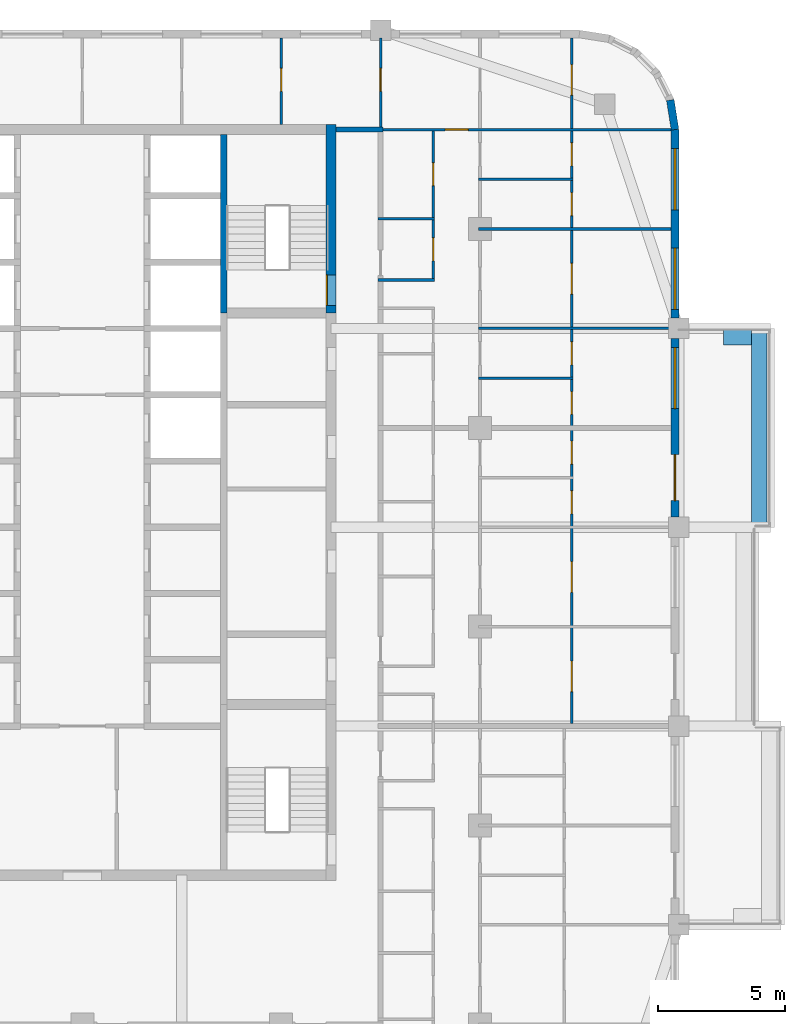
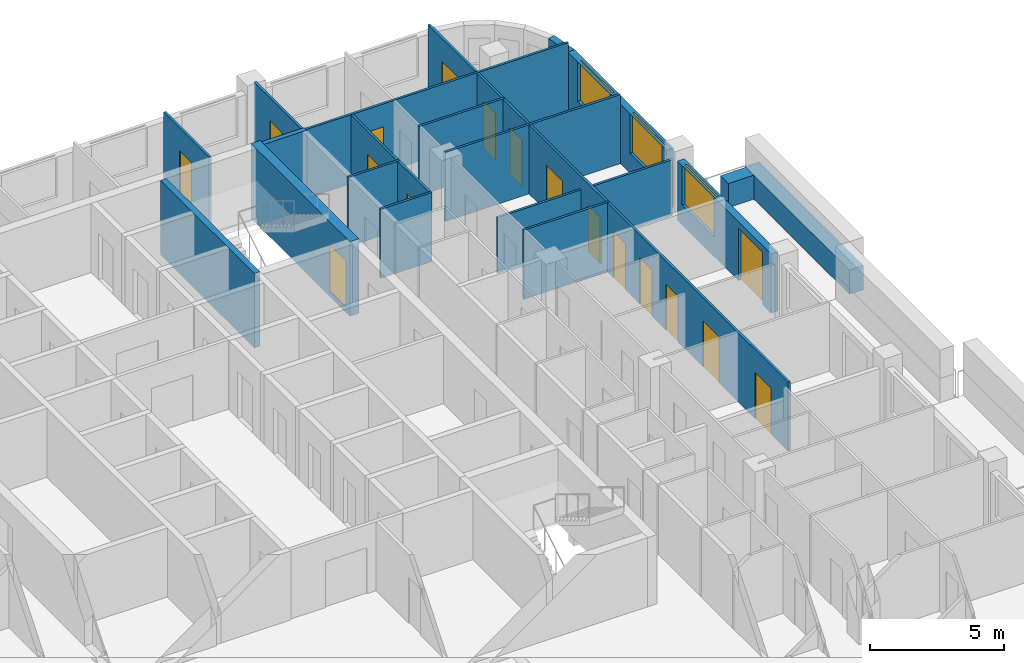
# One storey, part 11 of 16: 19 walls, 17 doors, 3 windows, 20 openings.
"""IFC4 building model written with IfcOpenShell, lengths in metres."""

import ifcopenshell
import ifcopenshell.guid

model = None  # the IFC model being written
_history = None  # IfcOwnerHistory: only IFC2X3 demands one
_inside = {}  # id of a spatial element -> (the spatial element, [elements in it])
_under = {}  # id of a project, library or spatial element -> (it, [spatial elements below it])
_declared = {}  # id of a project -> (the project, [libraries it declares])
_typed = {}  # id of a type object -> (the type object, [elements of that type])
_made_of = {}  # id of a material, layer set ... -> (it, [elements and type objects made of it])


def new_model(schema):
    """Start an empty IFC model of exactly this schema.

    Asked for "IFC4X3", IfcOpenShell would pick the latest addendum, in which some entities
    have other attributes; the version numbers below select the first issue.
    IFC2X3 requires an IfcOwnerHistory on every rooted entity: one is made here for all.
    """
    global model, _history
    if schema == "IFC4X3":
        model = ifcopenshell.file(schema_version=(4, 3, 0, 0))
    else:
        model = ifcopenshell.file(schema=schema)
    _inside.clear()
    _under.clear()
    _declared.clear()
    _typed.clear()
    _made_of.clear()
    _history = None
    if model.schema == "IFC2X3":
        org = make("IfcOrganization", Name="unknown")
        user = make(
            "IfcPersonAndOrganization",
            ThePerson=make("IfcPerson", FamilyName="unknown"),
            TheOrganization=org,
        )
        app = make(
            "IfcApplication",
            ApplicationDeveloper=org,
            Version="unknown",
            ApplicationFullName="unknown",
            ApplicationIdentifier="unknown",
        )
        _history = make(
            "IfcOwnerHistory",
            OwningUser=user,
            OwningApplication=app,
            ChangeAction="ADDED",
            CreationDate=0,
        )
    return model


def make(cls, **values):
    """One entity of the class cls with the attributes given. An attribute that is None is left unset."""
    return model.create_entity(
        cls, **{name: value for name, value in values.items() if value is not None}
    )


def rooted(cls, **values):
    """An entity with a GlobalId (a new one), such as an element, a storey or a relation."""
    return make(cls, GlobalId=ifcopenshell.guid.new(), OwnerHistory=_history, **values)


def si_unit(unit_type, name, prefix=None):
    """IfcSIUnit, for example si_unit("LENGTHUNIT", "METRE", prefix="MILLI")."""
    return make("IfcSIUnit", UnitType=unit_type, Prefix=prefix, Name=name)


def assignment(units):
    """IfcUnitAssignment: the units of a project."""
    return None if units is None else make("IfcUnitAssignment", Units=units)


def point(xyz):
    """IfcCartesianPoint."""
    return None if xyz is None else make("IfcCartesianPoint", Coordinates=xyz)


def direction(xyz):
    """IfcDirection."""
    return None if xyz is None else make("IfcDirection", DirectionRatios=xyz)


def frame(location, z_axis=None, x_axis=None):
    """IfcAxis2Placement3D, a coordinate frame: its origin and axes. An axis left out is left unset."""
    return make(
        "IfcAxis2Placement3D",
        Location=point(location),
        Axis=direction(z_axis),
        RefDirection=direction(x_axis),
    )


def frame_2d(location, x_axis=None):
    """IfcAxis2Placement2D, a coordinate frame in the plane: its origin and x axis."""
    return make(
        "IfcAxis2Placement2D", Location=point(location), RefDirection=direction(x_axis)
    )


def origin():
    """The frame at (0, 0, 0) with its axes left unset."""
    return frame((0.0, 0.0, 0.0))


def place(relative_to, where):
    """IfcLocalPlacement: puts the frame where relative to a parent placement (None: the world)."""
    return make(
        "IfcLocalPlacement", PlacementRelTo=relative_to, RelativePlacement=where
    )


def context(
    kind, dimensions, precision=None, world=None, true_north=None, identifier=None
):
    """IfcGeometricRepresentationContext, for example the 3D "Model" context."""
    return make(
        "IfcGeometricRepresentationContext",
        ContextIdentifier=identifier,
        ContextType=kind,
        CoordinateSpaceDimension=dimensions,
        Precision=precision,
        WorldCoordinateSystem=world,
        TrueNorth=true_north,
    )


def subcontext(parent, identifier, kind, view, scale=None):
    """IfcGeometricRepresentationSubContext, for example "Body" below "Model"."""
    return make(
        "IfcGeometricRepresentationSubContext",
        ContextIdentifier=identifier,
        ContextType=kind,
        ParentContext=parent,
        TargetScale=scale,
        TargetView=view,
    )


def project(units=None, contexts=None):
    """IfcProject with its units and contexts."""
    return rooted(
        "IfcProject",
        Name="project",
        RepresentationContexts=contexts,
        UnitsInContext=assignment(units),
    )


def spatial(cls, under=None, at=None, **own):
    """A site, building, storey or space (cls), placed at a placement, below another one or the project."""
    s = rooted(cls, ObjectPlacement=at, **own)
    if under is not None:
        _under.setdefault(under.id(), (under, []))[1].append(s)
    return s


def profile(cls, at=None, kind="AREA", **sizes):
    """A parametric profile (cls). Its sizes go by their IFC names, for example OverallWidth=200.0."""
    return make(cls, ProfileType=kind, Position=at, **sizes)


def rectangle(**sizes):
    """IfcRectangleProfileDef."""
    return profile("IfcRectangleProfileDef", **sizes)


def extrude(swept, where, along, depth):
    """IfcExtrudedAreaSolid: the profile swept, set in the frame where, extruded along a direction by depth."""
    return make(
        "IfcExtrudedAreaSolid",
        SweptArea=swept,
        Position=where,
        ExtrudedDirection=direction(along),
        Depth=depth,
    )


def shape(context_of_items, identifier, shape_type, items):
    """IfcShapeRepresentation: the items that make up one representation, for example the "Body"."""
    return make(
        "IfcShapeRepresentation",
        ContextOfItems=context_of_items,
        RepresentationIdentifier=identifier,
        RepresentationType=shape_type,
        Items=items,
    )


def material(Name=None, Category=None):
    """IfcMaterial."""
    return make("IfcMaterial", Name=Name, Category=Category)


def layer(
    of_material, thickness, ventilated=None, Name=None, Category=None, Priority=None
):
    """IfcMaterialLayer: one layer of a wall or slab, of a material (None: an air gap)."""
    return make(
        "IfcMaterialLayer",
        Material=of_material,
        LayerThickness=thickness,
        IsVentilated=ventilated,
        Name=Name,
        Category=Category,
        Priority=Priority,
    )


def layer_set(layers, Name=None):
    """IfcMaterialLayerSet."""
    return make("IfcMaterialLayerSet", MaterialLayers=layers, LayerSetName=Name)


def made_of(thing, what):
    """Note that an element or type object is made of a material, layer set ...; save() writes the relation."""
    if what is not None:
        _made_of.setdefault(what.id(), (what, []))[1].append(thing)
    return thing


def type_object(cls, material=None, **own):
    """A type object (cls), such as IfcWallType, which elements share."""
    return made_of(rooted(cls, **own), material)


def element(
    cls,
    number,
    at=None,
    inside=None,
    cuts=None,
    type_object=None,
    material=None,
    context=None,
    identifier="Body",
    shape_type=None,
    held_by="IfcProductDefinitionShape",
    body=None,
    shapes=None,
    **own,
):
    """One element of the class cls, such as IfcWall. Its Tag is "e" and its number.

    at: its placement. inside: the storey or other place that contains it. cuts: it is an
    opening in that element (IfcRelVoidsElement). A single representation is given by context,
    identifier, shape_type and body (its items); several are given by shapes. held_by: the class
    of the entity that holds the representations. save() writes the other relations.
    """
    e = rooted(cls, Tag="e%d" % number, ObjectPlacement=at, **own)
    if body is not None:
        shapes = [shape(context, identifier, shape_type, body)]
    if shapes is not None:
        e.Representation = make(held_by, Representations=shapes)
    if inside is not None:
        _inside.setdefault(inside.id(), (inside, []))[1].append(e)
    if cuts is not None:
        rooted(
            "IfcRelVoidsElement", RelatingBuildingElement=cuts, RelatedOpeningElement=e
        )
    if type_object is not None:
        _typed.setdefault(type_object.id(), (type_object, []))[1].append(e)
    return made_of(e, material)


def fill(opening, filler):
    """IfcRelFillsElement: the door or window that sits in an opening."""
    return rooted(
        "IfcRelFillsElement",
        RelatingOpeningElement=opening,
        RelatedBuildingElement=filler,
    )


def aggregate(whole, parts):
    """IfcRelAggregates: a whole, such as a stair, and the parts it consists of."""
    return rooted("IfcRelAggregates", RelatingObject=whole, RelatedObjects=parts)


def save(model, path):
    """Write the relations noted so far, then the file.

    IfcRelAggregates (storeys below a building ...), IfcRelContainedInSpatialStructure (elements
    in a storey), IfcRelDefinesByType, IfcRelAssociatesMaterial and IfcRelDeclares: one each for
    every whole, place, type object, material and project.
    """
    for whole, parts in _under.values():
        aggregate(whole, parts)
    for where, things in _inside.values():
        rooted(
            "IfcRelContainedInSpatialStructure",
            RelatedElements=things,
            RelatingStructure=where,
        )
    for kind, things in _typed.values():
        rooted("IfcRelDefinesByType", RelatedObjects=things, RelatingType=kind)
    for what, things in _made_of.values():
        rooted("IfcRelAssociatesMaterial", RelatedObjects=things, RelatingMaterial=what)
    for by, libraries in _declared.values():
        rooted("IfcRelDeclares", RelatingContext=by, RelatedDefinitions=libraries)
    model.write(path)


model = new_model("IFC4")

# Units and contexts
model_context = context("Model", 3, precision=1e-05, world=origin(), true_north=direction((0.0, 1.0)))
body_context = subcontext(model_context, "Body", "Model", "MODEL_VIEW")
ifc_project = project(units=[si_unit("LENGTHUNIT", "METRE"), si_unit("AREAUNIT", "SQUARE_METRE"), si_unit("VOLUMEUNIT", "CUBIC_METRE"), si_unit("PLANEANGLEUNIT", "RADIAN"), si_unit("MASSUNIT", "GRAM", prefix="KILO")], contexts=[model_context])

# Site, building, storey
site_placement = place(None, origin())
site = spatial("IfcSite", under=ifc_project, at=site_placement, CompositionType="ELEMENT")
building_placement = place(site_placement, origin())
building = spatial("IfcBuilding", under=site, at=building_placement, Name="Ludao Terraces", CompositionType="ELEMENT")
storey_placement = place(building_placement, frame((0.0, 0.0, 204.10009765625)))
storey = spatial("IfcBuildingStorey", under=building, at=storey_placement, Name="L55", CompositionType="ELEMENT", Elevation=204.10009765625)

# Wall, opening, door
ifc_material_1 = material(Name="Concrete C50", Category="concrete")
ifc_layer_1 = layer(ifc_material_1, 0.39990234375)
ifc_layer_set_1 = layer_set([ifc_layer_1], Name="Core wall 400 C50")
wall_type_1 = type_object("IfcWallType", Name="Core wall 400 C50", PredefinedType="SOLIDWALL", material=ifc_layer_set_1)
wall_1_placement = place(storey_placement, frame((94.75, 77.300048828125, -0.25), z_axis=(0.0, 0.0, 1.0), x_axis=(0.0, 1.0, 0.0)))
wall_1 = element("IfcWall", 1, at=wall_1_placement, inside=storey, type_object=wall_type_1, Name="Core wall L55 outer-E-S2", PredefinedType="SOLIDWALL", context=body_context, shape_type="SweptSolid", body=[
    extrude(rectangle(XDim=7.39990234375, YDim=0.39990234375, at=frame_2d((3.699951171875, 0.0))), origin(), (0.0, 0.0, 1.0), 3.39990234375),
])
opening_1_placement = place(wall_1_placement, frame((0.300048828125, 0.0, 0.25)))
opening_1 = element("IfcOpeningElement", 2, at=opening_1_placement, cuts=wall_1, Name="Opening R20-110", PredefinedType="OPENING", context=body_context, shape_type="SweptSolid", body=[
    extrude(rectangle(XDim=1.199951171875, YDim=2.10009765625, at=frame_2d((0.60009765625, 1.050048828125))), frame((0.0, 0.2099609375, 0.0), z_axis=(0.0, -1.0, 0.0), x_axis=(1.0, 0.0, 0.0)), (0.0, 0.0, 1.0), 0.419921875),
])
ifc_material_2 = material(Name="Steel Q235", Category="steel")
door_type_1 = type_object("IfcDoorType", Name="INT Stair door 1200", OperationType="DOUBLE_DOOR_SINGLE_SWING", PredefinedType="DOOR", material=ifc_material_2)
door_1_placement = place(opening_1_placement, origin())
door_1 = element("IfcDoor", 3, at=door_1_placement, inside=storey, type_object=door_type_1, Name="DOOR 110", OperationType="DOUBLE_DOOR_SINGLE_SWING", OverallHeight=2.10009765625, OverallWidth=1.199951171875, PredefinedType="DOOR", context=body_context, shape_type="SweptSolid", body=[
    extrude(rectangle(XDim=1.199951171875, YDim=2.10009765625, at=frame_2d((0.60009765625, 1.050048828125))), frame((0.0, 0.18505859375, 0.0), z_axis=(0.0, -1.0, 0.0), x_axis=(1.0, 0.0, 0.0)), (0.0, 0.0, 1.0), 0.050048828125),
])
fill(opening_1, door_1)

# Walls
ifc_material_3 = material(Name="Concrete C40", Category="concrete")
ifc_layer_2 = layer(ifc_material_3, 0.60009765625)
ifc_layer_set_2 = layer_set([ifc_layer_2], Name="ENV Planter trough 600")
wall_type_2 = type_object("IfcWallType", Name="ENV Planter trough 600", PredefinedType="USERDEFINED", material=ifc_layer_set_2)
wall_2_placement = place(storey_placement, frame((111.550048828125, 68.89990234375, 0.0), z_axis=(0.0, 0.0, 1.0), x_axis=(0.0, 1.0, 0.0)))
element("IfcWall", 4, at=wall_2_placement, inside=storey, type_object=wall_type_2, Name="PL-L55-E3", ObjectType="PLANTER", PredefinedType="USERDEFINED", context=body_context, shape_type="SweptSolid", body=[
    extrude(rectangle(XDim=7.800048828125, YDim=0.60009765625, at=frame_2d((3.89990234375, 0.0))), origin(), (0.0, 0.0, 1.0), 1.099853515625),
])
wall_3_placement = place(storey_placement, frame((111.25, 76.35009765625, 0.0), z_axis=(0.0, 0.0, 1.0), x_axis=(-1.0, 0.0, 0.0)))
element("IfcWall", 5, at=wall_3_placement, inside=storey, type_object=wall_type_2, Name="PL-L55-E3-SB", ObjectType="PLANTER", PredefinedType="USERDEFINED", context=body_context, shape_type="SweptSolid", body=[
    extrude(rectangle(XDim=1.10009765625, YDim=0.60009765625, at=frame_2d((0.550048828125, 0.0))), origin(), (0.0, 0.0, 1.0), 1.099853515625),
])

# Wall, openings, door, window
ifc_material_4 = material(Name="Granite cladding", Category="masonry")
ifc_layer_3 = layer(ifc_material_4, 0.0400390625, Category="stone")
ifc_material_5 = material(Name="Mineral wool")
ifc_layer_4 = layer(ifc_material_5, 0.06005859375)
ifc_layer_5 = layer(ifc_material_3, 0.199951171875, Category="concrete")
ifc_layer_set_3 = layer_set([ifc_layer_3, ifc_layer_4, ifc_layer_5], Name="ENV Stone-clad wall 300")
wall_type_3 = type_object("IfcWallType", Name="ENV Stone-clad wall 300", PredefinedType="SOLIDWALL", material=ifc_layer_set_3)
wall_4_placement = place(storey_placement, frame((108.25, 69.300048828125, 0.0), z_axis=(0.0, 0.0, 1.0), x_axis=(0.0, 1.0, 0.0)))
wall_4 = element("IfcWall", 6, at=wall_4_placement, inside=storey, type_object=wall_type_3, Name="EW-L55-E4", PredefinedType="SOLIDWALL", context=body_context, shape_type="SweptSolid", body=[
    extrude(rectangle(XDim=7.0, YDim=0.300048828125, at=frame_2d((3.5, 0.0))), origin(), (0.0, 0.0, 1.0), 2.699951171875),
])
opening_2_placement = place(wall_4_placement, frame((0.64990234375, 0.0, 0.0)))
opening_2 = element("IfcOpeningElement", 7, at=opening_2_placement, cuts=wall_4, Name="Opening BD", PredefinedType="OPENING", context=body_context, shape_type="SweptSolid", body=[
    extrude(rectangle(XDim=1.800048828125, YDim=2.39990234375, at=frame_2d((0.89990234375, 1.199951171875))), frame((0.0, 0.16015625, 0.0), z_axis=(0.0, -1.0, 0.0), x_axis=(1.0, 0.0, 0.0)), (0.0, 0.0, 1.0), 0.320068359375),
])
opening_3_placement = place(wall_4_placement, frame((4.25, 0.0, 0.89990234375)))
opening_3 = element("IfcOpeningElement", 8, at=opening_3_placement, cuts=wall_4, Name="Opening W1", PredefinedType="OPENING", context=body_context, shape_type="SweptSolid", body=[
    extrude(rectangle(XDim=2.39990234375, YDim=1.800048828125, at=frame_2d((1.199951171875, 0.89990234375))), frame((0.0, 0.16015625, 0.0), z_axis=(0.0, -1.0, 0.0), x_axis=(1.0, 0.0, 0.0)), (0.0, 0.0, 1.0), 0.320068359375),
])
ifc_material_6 = material(Name="Aluminium glazed door", Category="aluminium")
ifc_layer_6 = layer(ifc_material_6, 0.06005859375)
ifc_layer_set_4 = layer_set([ifc_layer_6], Name="ENV Balcony door BD 1800x2400")
door_type_2 = type_object("IfcDoorType", Name="ENV Balcony door BD 1800x2400", OperationType="DOUBLE_DOOR_SINGLE_SWING", PredefinedType="DOOR", material=ifc_layer_set_4)
door_2_placement = place(opening_2_placement, origin())
door_2 = element("IfcDoor", 9, at=door_2_placement, inside=storey, type_object=door_type_2, Name="BD-L55-E4-1", OperationType="DOUBLE_DOOR_SINGLE_SWING", OverallHeight=2.39990234375, OverallWidth=1.800048828125, PredefinedType="DOOR", context=body_context, shape_type="SweptSolid", body=[
    extrude(rectangle(XDim=1.800048828125, YDim=2.39990234375, at=frame_2d((0.89990234375, 1.199951171875))), frame((0.0, 0.02490234375, 0.0), z_axis=(0.0, -1.0, 0.0), x_axis=(1.0, 0.0, 0.0)), (0.0, 0.0, 1.0), 0.050048828125),
])
fill(opening_2, door_2)
ifc_material_7 = material(Name="Clear glass in aluminium frame", Category="aluminium")
ifc_layer_7 = layer(ifc_material_7, 0.06005859375)
ifc_layer_set_5 = layer_set([ifc_layer_7], Name="ENV Window W1 2400x1800")
window_type = type_object("IfcWindowType", Name="ENV Window W1 2400x1800", PartitioningType="DOUBLE_PANEL_VERTICAL", PredefinedType="WINDOW", material=ifc_layer_set_5)
window_1_placement = place(opening_3_placement, origin())
window_1 = element("IfcWindow", 10, at=window_1_placement, inside=storey, type_object=window_type, Name="W-L55-E4-2", OverallHeight=1.800048828125, OverallWidth=2.39990234375, PartitioningType="DOUBLE_PANEL_VERTICAL", PredefinedType="WINDOW", context=body_context, shape_type="SweptSolid", body=[
    extrude(rectangle(XDim=2.39990234375, YDim=1.800048828125, at=frame_2d((1.199951171875, 0.89990234375))), frame((0.0, 0.030029296875, 0.0), z_axis=(0.0, -1.0, 0.0), x_axis=(1.0, 0.0, 0.0)), (0.0, 0.0, 1.0), 0.06005859375),
])
fill(opening_3, window_1)

# Wall, openings, windows
wall_5_placement = place(storey_placement, frame((108.25, 77.10009765625, 0.0), z_axis=(0.0, 0.0, 1.0), x_axis=(0.0, 1.0, 0.0)))
wall_5 = element("IfcWall", 11, at=wall_5_placement, inside=storey, type_object=wall_type_3, Name="EW-L55-E5", PredefinedType="SOLIDWALL", context=body_context, shape_type="SweptSolid", body=[
    extrude(rectangle(XDim=7.39990234375, YDim=0.300048828125, at=frame_2d((3.699951171875, 0.0))), origin(), (0.0, 0.0, 1.0), 2.699951171875),
])
opening_4_placement = place(wall_5_placement, frame((0.35009765625, 0.0, 0.89990234375)))
opening_4 = element("IfcOpeningElement", 12, at=opening_4_placement, cuts=wall_5, Name="Opening W1", PredefinedType="OPENING", context=body_context, shape_type="SweptSolid", body=[
    extrude(rectangle(XDim=2.39990234375, YDim=1.800048828125, at=frame_2d((1.199951171875, 0.89990234375))), frame((0.0, 0.16015625, 0.0), z_axis=(0.0, -1.0, 0.0), x_axis=(1.0, 0.0, 0.0)), (0.0, 0.0, 1.0), 0.320068359375),
])
opening_5_placement = place(wall_5_placement, frame((4.25, 0.0, 0.89990234375)))
opening_5 = element("IfcOpeningElement", 13, at=opening_5_placement, cuts=wall_5, Name="Opening W1", PredefinedType="OPENING", context=body_context, shape_type="SweptSolid", body=[
    extrude(rectangle(XDim=2.39990234375, YDim=1.800048828125, at=frame_2d((1.199951171875, 0.89990234375))), frame((0.0, 0.16015625, 0.0), z_axis=(0.0, -1.0, 0.0), x_axis=(1.0, 0.0, 0.0)), (0.0, 0.0, 1.0), 0.320068359375),
])
window_2_placement = place(opening_4_placement, origin())
window_2 = element("IfcWindow", 14, at=window_2_placement, inside=storey, type_object=window_type, Name="W-L55-E5-1", OverallHeight=1.800048828125, OverallWidth=2.39990234375, PartitioningType="DOUBLE_PANEL_VERTICAL", PredefinedType="WINDOW", context=body_context, shape_type="SweptSolid", body=[
    extrude(rectangle(XDim=2.39990234375, YDim=1.800048828125, at=frame_2d((1.199951171875, 0.89990234375))), frame((0.0, 0.030029296875, 0.0), z_axis=(0.0, -1.0, 0.0), x_axis=(1.0, 0.0, 0.0)), (0.0, 0.0, 1.0), 0.06005859375),
])
fill(opening_4, window_2)
window_3_placement = place(opening_5_placement, origin())
window_3 = element("IfcWindow", 15, at=window_3_placement, inside=storey, type_object=window_type, Name="W-L55-E5-2", OverallHeight=1.800048828125, OverallWidth=2.39990234375, PartitioningType="DOUBLE_PANEL_VERTICAL", PredefinedType="WINDOW", context=body_context, shape_type="SweptSolid", body=[
    extrude(rectangle(XDim=2.39990234375, YDim=1.800048828125, at=frame_2d((1.199951171875, 0.89990234375))), frame((0.0, 0.030029296875, 0.0), z_axis=(0.0, -1.0, 0.0), x_axis=(1.0, 0.0, 0.0)), (0.0, 0.0, 1.0), 0.06005859375),
])
fill(opening_5, window_3)

# Walls
wall_6_placement = place(storey_placement, frame((108.25, 84.5, 0.0), z_axis=(0.0, 0.0, 1.0), x_axis=(-0.156496880861, 0.987678452879, 0.0)))
element("IfcWall", 16, at=wall_6_placement, inside=storey, type_object=wall_type_3, Name="EW-L55-NE1", PredefinedType="SOLIDWALL", context=body_context, shape_type="SweptSolid", body=[
    extrude(rectangle(XDim=1.173095703125, YDim=0.300048828125, at=frame_2d((0.58642578125, 0.0))), origin(), (0.0, 0.0, 1.0), 2.699951171875),
])
ifc_material_8 = material(Name="Autoclaved aerated concrete block B06 A3.5", Category="concrete")
ifc_layer_8 = layer(ifc_material_8, 0.199951171875)
ifc_layer_set_6 = layer_set([ifc_layer_8], Name="INT Entrance wall 200")
wall_type_4 = type_object("IfcWallType", Name="INT Entrance wall 200", PredefinedType="PARTITIONING", material=ifc_layer_set_6)
wall_7_placement = place(storey_placement, frame((94.9501953125, 84.5, 0.0), z_axis=(0.0, 0.0, 1.0), x_axis=(1.0, 0.0, 0.0)))
element("IfcWall", 17, at=wall_7_placement, inside=storey, type_object=wall_type_4, Name="PW-L55-PW068", PredefinedType="PARTITIONING", context=body_context, shape_type="SweptSolid", body=[
    extrude(rectangle(XDim=1.849853515625, YDim=0.199951171875, at=frame_2d((0.9248046875, 0.0))), origin(), (0.0, 0.0, 1.0), 3.14990234375),
])
ifc_material_9 = material(Name="Gypsum plasterboard", Category="gypsum")
ifc_layer_9 = layer(ifc_material_9, 0.012451171875, Category="gypsum")
ifc_layer_10 = layer(ifc_material_5, 0.06005859375, Name="insulation")
ifc_layer_11 = layer(ifc_material_2, 0.014892578125, Name="stud")
ifc_layer_12 = layer(ifc_material_9, 0.012451171875, Category="gypsum")
ifc_layer_set_7 = layer_set([ifc_layer_9, ifc_layer_10, ifc_layer_11, ifc_layer_12], Name="INT Partition 100")
wall_type_5 = type_object("IfcWallType", Name="INT Partition 100", PredefinedType="PARTITIONING", material=ifc_layer_set_7)
wall_8_placement = place(storey_placement, frame((100.550048828125, 74.75, 0.0), z_axis=(0.0, 0.0, 1.0), x_axis=(1.0, 0.0, 0.0)))
element("IfcWall", 18, at=wall_8_placement, inside=storey, type_object=wall_type_5, Name="PW-L55-PW050", PredefinedType="PARTITIONING", context=body_context, shape_type="SweptSolid", body=[
    extrude(rectangle(XDim=3.699951171875, YDim=0.10009765625, at=frame_2d((1.85009765625, 0.0))), origin(), (0.0, 0.0, 1.0), 3.14990234375),
])
wall_9_placement = place(storey_placement, frame((100.550048828125, 76.699951171875, 0.0), z_axis=(0.0, 0.0, 1.0), x_axis=(1.0, 0.0, 0.0)))
element("IfcWall", 19, at=wall_9_placement, inside=storey, type_object=wall_type_5, Name="PW-L55-PW054", PredefinedType="PARTITIONING", context=body_context, shape_type="SweptSolid", body=[
    extrude(rectangle(XDim=7.550048828125, YDim=0.10009765625, at=frame_2d((3.77490234375, 0.0))), origin(), (0.0, 0.0, 1.0), 2.5498046875),
])
wall_10_placement = place(storey_placement, frame((96.60009765625, 78.60009765625, 0.0), z_axis=(0.0, 0.0, 1.0), x_axis=(1.0, 0.0, 0.0)))
element("IfcWall", 20, at=wall_10_placement, inside=storey, type_object=wall_type_5, Name="PW-L55-PW056", PredefinedType="PARTITIONING", context=body_context, shape_type="SweptSolid", body=[
    extrude(rectangle(XDim=2.219970703125, YDim=0.10009765625, at=frame_2d((1.10986328125, 0.0))), origin(), (0.0, 0.0, 1.0), 3.14990234375),
])
wall_11_placement = place(storey_placement, frame((100.550048828125, 80.60009765625, 0.0), z_axis=(0.0, 0.0, 1.0), x_axis=(1.0, 0.0, 0.0)))
element("IfcWall", 21, at=wall_11_placement, inside=storey, type_object=wall_type_5, Name="PW-L55-PW061", PredefinedType="PARTITIONING", context=body_context, shape_type="SweptSolid", body=[
    extrude(rectangle(XDim=7.550048828125, YDim=0.10009765625, at=frame_2d((3.77490234375, 0.0))), origin(), (0.0, 0.0, 1.0), 3.14990234375),
])
wall_12_placement = place(storey_placement, frame((96.60009765625, 81.0, 0.0), z_axis=(0.0, 0.0, 1.0), x_axis=(1.0, 0.0, 0.0)))
element("IfcWall", 22, at=wall_12_placement, inside=storey, type_object=wall_type_5, Name="PW-L55-PW062", PredefinedType="PARTITIONING", context=body_context, shape_type="SweptSolid", body=[
    extrude(rectangle(XDim=2.219970703125, YDim=0.10009765625, at=frame_2d((1.10986328125, 0.0))), origin(), (0.0, 0.0, 1.0), 3.14990234375),
])
wall_13_placement = place(storey_placement, frame((100.550048828125, 82.550048828125, 0.0), z_axis=(0.0, 0.0, 1.0), x_axis=(1.0, 0.0, 0.0)))
element("IfcWall", 23, at=wall_13_placement, inside=storey, type_object=wall_type_5, Name="PW-L55-PW064", PredefinedType="PARTITIONING", context=body_context, shape_type="SweptSolid", body=[
    extrude(rectangle(XDim=3.699951171875, YDim=0.10009765625, at=frame_2d((1.85009765625, 0.0))), origin(), (0.0, 0.0, 1.0), 3.14990234375),
])

# Wall, opening, door
wall_14_placement = place(storey_placement, frame((96.60009765625, 84.5, 0.0), z_axis=(0.0, 0.0, 1.0), x_axis=(1.0, 0.0, 0.0)))
wall_14 = element("IfcWall", 24, at=wall_14_placement, inside=storey, type_object=wall_type_5, Name="PW-L55-PW069", PredefinedType="PARTITIONING", context=body_context, shape_type="SweptSolid", body=[
    extrude(rectangle(XDim=11.5, YDim=0.10009765625, at=frame_2d((5.75, 0.0))), origin(), (0.0, 0.0, 1.0), 3.14990234375),
])
opening_6_placement = place(wall_14_placement, frame((2.635009765625, 0.0, 0.0)))
opening_6 = element("IfcOpeningElement", 25, at=opening_6_placement, cuts=wall_14, Name="Opening R20-132", PredefinedType="OPENING", context=body_context, shape_type="SweptSolid", body=[
    extrude(rectangle(XDim=0.89990234375, YDim=2.10009765625, at=frame_2d((0.449951171875, 1.050048828125))), frame((0.0, 0.06005859375, 0.0), z_axis=(0.0, -1.0, 0.0), x_axis=(1.0, 0.0, 0.0)), (0.0, 0.0, 1.0), 0.1201171875),
])
ifc_material_10 = material(Name="Timber door leaf", Category="wood")
door_type_3 = type_object("IfcDoorType", Name="INT Room door 900", OperationType="SINGLE_SWING_LEFT", PredefinedType="DOOR", material=ifc_material_10)
door_3_placement = place(opening_6_placement, origin())
door_3 = element("IfcDoor", 26, at=door_3_placement, inside=storey, type_object=door_type_3, Name="DOOR 132", OperationType="SINGLE_SWING_RIGHT", OverallHeight=2.10009765625, OverallWidth=0.89990234375, PredefinedType="DOOR", context=body_context, shape_type="SweptSolid", body=[
    extrude(rectangle(XDim=0.89990234375, YDim=2.10009765625, at=frame_2d((0.449951171875, 1.050048828125))), frame((0.0, 0.02490234375, 0.0), z_axis=(0.0, -1.0, 0.0), x_axis=(1.0, 0.0, 0.0)), (0.0, 0.0, 1.0), 0.050048828125),
])
fill(opening_6, door_3)

wall_15_placement = place(storey_placement, frame((92.800048828125, 84.7001953125, 0.0), z_axis=(0.0, 0.0, 1.0), x_axis=(0.0, 1.0, 0.0)))
wall_15 = element("IfcWall", 27, at=wall_15_placement, inside=storey, type_object=wall_type_5, Name="PW-L55-PW088", PredefinedType="PARTITIONING", context=body_context, shape_type="SweptSolid", body=[
    extrude(rectangle(XDim=3.39990234375, YDim=0.10009765625, at=frame_2d((1.699951171875, 0.0))), origin(), (0.0, 0.0, 1.0), 3.14990234375),
])
opening_7_placement = place(wall_15_placement, frame((1.2998046875, 0.0, 0.0)))
opening_7 = element("IfcOpeningElement", 28, at=opening_7_placement, cuts=wall_15, Name="Opening R20-139", PredefinedType="OPENING", context=body_context, shape_type="SweptSolid", body=[
    extrude(rectangle(XDim=0.89990234375, YDim=2.10009765625, at=frame_2d((0.449951171875, 1.050048828125))), frame((0.0, 0.06005859375, 0.0), z_axis=(0.0, -1.0, 0.0), x_axis=(1.0, 0.0, 0.0)), (0.0, 0.0, 1.0), 0.1201171875),
])
door_4_placement = place(opening_7_placement, origin())
door_4 = element("IfcDoor", 29, at=door_4_placement, inside=storey, type_object=door_type_3, Name="DOOR 139", OperationType="SINGLE_SWING_RIGHT", OverallHeight=2.10009765625, OverallWidth=0.89990234375, PredefinedType="DOOR", context=body_context, shape_type="SweptSolid", body=[
    extrude(rectangle(XDim=0.89990234375, YDim=2.10009765625, at=frame_2d((0.449951171875, 1.050048828125))), frame((0.0, 0.02490234375, 0.0), z_axis=(0.0, -1.0, 0.0), x_axis=(1.0, 0.0, 0.0)), (0.0, 0.0, 1.0), 0.050048828125),
])
fill(opening_7, door_4)

wall_16_placement = place(storey_placement, frame((96.699951171875, 84.60009765625, 0.0), z_axis=(0.0, 0.0, 1.0), x_axis=(0.0, 1.0, 0.0)))
wall_16 = element("IfcWall", 30, at=wall_16_placement, inside=storey, type_object=wall_type_5, Name="PW-L55-PW091", PredefinedType="PARTITIONING", context=body_context, shape_type="SweptSolid", body=[
    extrude(rectangle(XDim=3.5, YDim=0.10009765625, at=frame_2d((1.75, 0.0))), origin(), (0.0, 0.0, 1.0), 3.14990234375),
])
opening_8_placement = place(wall_16_placement, frame((1.39990234375, 0.0, 0.0)))
opening_8 = element("IfcOpeningElement", 31, at=opening_8_placement, cuts=wall_16, Name="Opening R20-140", PredefinedType="OPENING", context=body_context, shape_type="SweptSolid", body=[
    extrude(rectangle(XDim=0.89990234375, YDim=2.10009765625, at=frame_2d((0.449951171875, 1.050048828125))), frame((0.0, 0.06005859375, 0.0), z_axis=(0.0, -1.0, 0.0), x_axis=(1.0, 0.0, 0.0)), (0.0, 0.0, 1.0), 0.1201171875),
])
door_5_placement = place(opening_8_placement, origin())
door_5 = element("IfcDoor", 32, at=door_5_placement, inside=storey, type_object=door_type_3, Name="DOOR 140", OperationType="SINGLE_SWING_RIGHT", OverallHeight=2.10009765625, OverallWidth=0.89990234375, PredefinedType="DOOR", context=body_context, shape_type="SweptSolid", body=[
    extrude(rectangle(XDim=0.89990234375, YDim=2.10009765625, at=frame_2d((0.449951171875, 1.050048828125))), frame((0.0, 0.02490234375, 0.0), z_axis=(0.0, -1.0, 0.0), x_axis=(1.0, 0.0, 0.0)), (0.0, 0.0, 1.0), 0.050048828125),
])
fill(opening_8, door_5)

# Wall, openings, doors
wall_17_placement = place(storey_placement, frame((98.77001953125, 78.650146484375, 0.0), z_axis=(0.0, 0.0, 1.0), x_axis=(0.0, 1.0, 0.0)))
wall_17 = element("IfcWall", 33, at=wall_17_placement, inside=storey, type_object=wall_type_5, Name="PW-L55-PW095", PredefinedType="PARTITIONING", context=body_context, shape_type="SweptSolid", body=[
    extrude(rectangle(XDim=5.800048828125, YDim=0.10009765625, at=frame_2d((2.89990234375, 0.0))), origin(), (0.0, 0.0, 1.0), 3.14990234375),
])
opening_9_placement = place(wall_17_placement, frame((0.699951171875, 0.0, 0.0)))
opening_9 = element("IfcOpeningElement", 34, at=opening_9_placement, cuts=wall_17, Name="Opening R20-117", PredefinedType="OPENING", context=body_context, shape_type="SweptSolid", body=[
    extrude(rectangle(XDim=0.89990234375, YDim=2.10009765625, at=frame_2d((0.449951171875, 1.050048828125))), frame((0.0, 0.06005859375, 0.0), z_axis=(0.0, -1.0, 0.0), x_axis=(1.0, 0.0, 0.0)), (0.0, 0.0, 1.0), 0.1201171875),
])
opening_10_placement = place(wall_17_placement, frame((3.64990234375, 0.0, 0.0)))
opening_10 = element("IfcOpeningElement", 35, at=opening_10_placement, cuts=wall_17, Name="Opening R20-125", PredefinedType="OPENING", context=body_context, shape_type="SweptSolid", body=[
    extrude(rectangle(XDim=0.89990234375, YDim=2.10009765625, at=frame_2d((0.449951171875, 1.050048828125))), frame((0.0, 0.06005859375, 0.0), z_axis=(0.0, -1.0, 0.0), x_axis=(1.0, 0.0, 0.0)), (0.0, 0.0, 1.0), 0.1201171875),
])
door_type_4 = type_object("IfcDoorType", Name="INT Bathroom door 900", OperationType="SINGLE_SWING_LEFT", PredefinedType="DOOR", material=ifc_material_10)
door_6_placement = place(opening_9_placement, origin())
door_6 = element("IfcDoor", 36, at=door_6_placement, inside=storey, type_object=door_type_4, Name="DOOR 117", OperationType="SINGLE_SWING_LEFT", OverallHeight=2.10009765625, OverallWidth=0.89990234375, PredefinedType="DOOR", context=body_context, shape_type="SweptSolid", body=[
    extrude(rectangle(XDim=0.89990234375, YDim=2.10009765625, at=frame_2d((0.449951171875, 1.050048828125))), frame((0.0, 0.02490234375, 0.0), z_axis=(0.0, -1.0, 0.0), x_axis=(1.0, 0.0, 0.0)), (0.0, 0.0, 1.0), 0.050048828125),
])
fill(opening_9, door_6)
door_7_placement = place(opening_10_placement, origin())
door_7 = element("IfcDoor", 37, at=door_7_placement, inside=storey, type_object=door_type_3, Name="DOOR 125", OperationType="SINGLE_SWING_LEFT", OverallHeight=2.10009765625, OverallWidth=0.89990234375, PredefinedType="DOOR", context=body_context, shape_type="SweptSolid", body=[
    extrude(rectangle(XDim=0.89990234375, YDim=2.10009765625, at=frame_2d((0.449951171875, 1.050048828125))), frame((0.0, 0.02490234375, 0.0), z_axis=(0.0, -1.0, 0.0), x_axis=(1.0, 0.0, 0.0)), (0.0, 0.0, 1.0), 0.050048828125),
])
fill(opening_10, door_7)

wall_18_placement = place(storey_placement, frame((104.199951171875, 61.2001953125, 0.0), z_axis=(0.0, 0.0, 1.0), x_axis=(0.0, 1.0, 0.0)))
wall_18 = element("IfcWall", 38, at=wall_18_placement, inside=storey, type_object=wall_type_5, Name="PW-L55-PW098", PredefinedType="PARTITIONING", context=body_context, shape_type="SweptSolid", body=[
    extrude(rectangle(XDim=26.89990234375, YDim=0.10009765625, at=frame_2d((13.449951171875, 0.0))), origin(), (0.0, 0.0, 1.0), 3.14990234375),
])
opening_11_placement = place(wall_18_placement, frame((1.25, 0.0, 0.0)))
opening_11 = element("IfcOpeningElement", 39, at=opening_11_placement, cuts=wall_18, Name="Opening R20-057", PredefinedType="OPENING", context=body_context, shape_type="SweptSolid", body=[
    extrude(rectangle(XDim=1.199951171875, YDim=2.10009765625, at=frame_2d((0.60009765625, 1.050048828125))), frame((0.0, 0.06005859375, 0.0), z_axis=(0.0, -1.0, 0.0), x_axis=(1.0, 0.0, 0.0)), (0.0, 0.0, 1.0), 0.1201171875),
])
opening_12_placement = place(wall_18_placement, frame((5.14990234375, 0.0, 0.0)))
opening_12 = element("IfcOpeningElement", 40, at=opening_12_placement, cuts=wall_18, Name="Opening R20-069", PredefinedType="OPENING", context=body_context, shape_type="SweptSolid", body=[
    extrude(rectangle(XDim=1.199951171875, YDim=2.10009765625, at=frame_2d((0.60009765625, 1.050048828125))), frame((0.0, 0.06005859375, 0.0), z_axis=(0.0, -1.0, 0.0), x_axis=(1.0, 0.0, 0.0)), (0.0, 0.0, 1.0), 0.1201171875),
])
opening_13_placement = place(wall_18_placement, frame((8.224853515625, 0.0, 0.0)))
opening_13 = element("IfcOpeningElement", 41, at=opening_13_placement, cuts=wall_18, Name="Opening R20-077", PredefinedType="OPENING", context=body_context, shape_type="SweptSolid", body=[
    extrude(rectangle(XDim=0.89990234375, YDim=2.10009765625, at=frame_2d((0.449951171875, 1.050048828125))), frame((0.0, 0.06005859375, 0.0), z_axis=(0.0, -1.0, 0.0), x_axis=(1.0, 0.0, 0.0)), (0.0, 0.0, 1.0), 0.1201171875),
])
opening_14_placement = place(wall_18_placement, frame((10.1748046875, 0.0, 0.0)))
opening_14 = element("IfcOpeningElement", 42, at=opening_14_placement, cuts=wall_18, Name="Opening R20-085", PredefinedType="OPENING", context=body_context, shape_type="SweptSolid", body=[
    extrude(rectangle(XDim=0.89990234375, YDim=2.10009765625, at=frame_2d((0.449951171875, 1.050048828125))), frame((0.0, 0.06005859375, 0.0), z_axis=(0.0, -1.0, 0.0), x_axis=(1.0, 0.0, 0.0)), (0.0, 0.0, 1.0), 0.1201171875),
])
opening_15_placement = place(wall_18_placement, frame((12.125, 0.0, 0.0)))
opening_15 = element("IfcOpeningElement", 43, at=opening_15_placement, cuts=wall_18, Name="Opening R20-090", PredefinedType="OPENING", context=body_context, shape_type="SweptSolid", body=[
    extrude(rectangle(XDim=0.89990234375, YDim=2.10009765625, at=frame_2d((0.449951171875, 1.050048828125))), frame((0.0, 0.06005859375, 0.0), z_axis=(0.0, -1.0, 0.0), x_axis=(1.0, 0.0, 0.0)), (0.0, 0.0, 1.0), 0.1201171875),
])
opening_16_placement = place(wall_18_placement, frame((14.074951171875, 0.0, 0.0)))
opening_16 = element("IfcOpeningElement", 44, at=opening_16_placement, cuts=wall_18, Name="Opening R20-102", PredefinedType="OPENING", context=body_context, shape_type="SweptSolid", body=[
    extrude(rectangle(XDim=0.89990234375, YDim=2.10009765625, at=frame_2d((0.449951171875, 1.050048828125))), frame((0.0, 0.06005859375, 0.0), z_axis=(0.0, -1.0, 0.0), x_axis=(1.0, 0.0, 0.0)), (0.0, 0.0, 1.0), 0.1201171875),
])
opening_17_placement = place(wall_18_placement, frame((16.849853515625, 0.0, 0.0)))
opening_17 = element("IfcOpeningElement", 45, at=opening_17_placement, cuts=wall_18, Name="Opening R20-112", PredefinedType="OPENING", context=body_context, shape_type="SweptSolid", body=[
    extrude(rectangle(XDim=1.199951171875, YDim=2.10009765625, at=frame_2d((0.60009765625, 1.050048828125))), frame((0.0, 0.06005859375, 0.0), z_axis=(0.0, -1.0, 0.0), x_axis=(1.0, 0.0, 0.0)), (0.0, 0.0, 1.0), 0.1201171875),
])
opening_18_placement = place(wall_18_placement, frame((19.9248046875, 0.0, 0.0)))
opening_18 = element("IfcOpeningElement", 46, at=opening_18_placement, cuts=wall_18, Name="Opening R20-122", PredefinedType="OPENING", context=body_context, shape_type="SweptSolid", body=[
    extrude(rectangle(XDim=0.89990234375, YDim=2.10009765625, at=frame_2d((0.449951171875, 1.050048828125))), frame((0.0, 0.06005859375, 0.0), z_axis=(0.0, -1.0, 0.0), x_axis=(1.0, 0.0, 0.0)), (0.0, 0.0, 1.0), 0.1201171875),
])
opening_19_placement = place(wall_18_placement, frame((21.875, 0.0, 0.0)))
opening_19 = element("IfcOpeningElement", 47, at=opening_19_placement, cuts=wall_18, Name="Opening R20-129", PredefinedType="OPENING", context=body_context, shape_type="SweptSolid", body=[
    extrude(rectangle(XDim=0.89990234375, YDim=2.10009765625, at=frame_2d((0.449951171875, 1.050048828125))), frame((0.0, 0.06005859375, 0.0), z_axis=(0.0, -1.0, 0.0), x_axis=(1.0, 0.0, 0.0)), (0.0, 0.0, 1.0), 0.1201171875),
])
opening_20_placement = place(wall_18_placement, frame((24.64990234375, 0.0, 0.0)))
opening_20 = element("IfcOpeningElement", 48, at=opening_20_placement, cuts=wall_18, Name="Opening R20-142", PredefinedType="OPENING", context=body_context, shape_type="SweptSolid", body=[
    extrude(rectangle(XDim=1.199951171875, YDim=2.10009765625, at=frame_2d((0.60009765625, 1.050048828125))), frame((0.0, 0.06005859375, 0.0), z_axis=(0.0, -1.0, 0.0), x_axis=(1.0, 0.0, 0.0)), (0.0, 0.0, 1.0), 0.1201171875),
])
door_8_placement = place(opening_13_placement, origin())
door_8 = element("IfcDoor", 49, at=door_8_placement, inside=storey, type_object=door_type_4, Name="DOOR 077", OperationType="SINGLE_SWING_LEFT", OverallHeight=2.10009765625, OverallWidth=0.89990234375, PredefinedType="DOOR", context=body_context, shape_type="SweptSolid", body=[
    extrude(rectangle(XDim=0.89990234375, YDim=2.10009765625, at=frame_2d((0.449951171875, 1.050048828125))), frame((0.0, 0.02490234375, 0.0), z_axis=(0.0, -1.0, 0.0), x_axis=(1.0, 0.0, 0.0)), (0.0, 0.0, 1.0), 0.050048828125),
])
fill(opening_13, door_8)
door_9_placement = place(opening_15_placement, origin())
door_9 = element("IfcDoor", 50, at=door_9_placement, inside=storey, type_object=door_type_4, Name="DOOR 090", OperationType="SINGLE_SWING_LEFT", OverallHeight=2.10009765625, OverallWidth=0.89990234375, PredefinedType="DOOR", context=body_context, shape_type="SweptSolid", body=[
    extrude(rectangle(XDim=0.89990234375, YDim=2.10009765625, at=frame_2d((0.449951171875, 1.050048828125))), frame((0.0, 0.02490234375, 0.0), z_axis=(0.0, -1.0, 0.0), x_axis=(1.0, 0.0, 0.0)), (0.0, 0.0, 1.0), 0.050048828125),
])
fill(opening_15, door_9)
door_10_placement = place(opening_18_placement, origin())
door_10 = element("IfcDoor", 51, at=door_10_placement, inside=storey, type_object=door_type_4, Name="DOOR 122", OperationType="SINGLE_SWING_LEFT", OverallHeight=2.10009765625, OverallWidth=0.89990234375, PredefinedType="DOOR", context=body_context, shape_type="SweptSolid", body=[
    extrude(rectangle(XDim=0.89990234375, YDim=2.10009765625, at=frame_2d((0.449951171875, 1.050048828125))), frame((0.0, 0.02490234375, 0.0), z_axis=(0.0, -1.0, 0.0), x_axis=(1.0, 0.0, 0.0)), (0.0, 0.0, 1.0), 0.050048828125),
])
fill(opening_18, door_10)
door_type_5 = type_object("IfcDoorType", Name="INT Double door 1200", OperationType="DOUBLE_DOOR_SINGLE_SWING", PredefinedType="DOOR", material=ifc_material_10)
door_11_placement = place(opening_11_placement, origin())
door_11 = element("IfcDoor", 52, at=door_11_placement, inside=storey, type_object=door_type_5, Name="DOOR 057", OperationType="DOUBLE_DOOR_SINGLE_SWING", OverallHeight=2.10009765625, OverallWidth=1.199951171875, PredefinedType="DOOR", context=body_context, shape_type="SweptSolid", body=[
    extrude(rectangle(XDim=1.199951171875, YDim=2.10009765625, at=frame_2d((0.60009765625, 1.050048828125))), frame((0.0, 0.02490234375, 0.0), z_axis=(0.0, -1.0, 0.0), x_axis=(1.0, 0.0, 0.0)), (0.0, 0.0, 1.0), 0.050048828125),
])
fill(opening_11, door_11)
door_12_placement = place(opening_12_placement, origin())
door_12 = element("IfcDoor", 53, at=door_12_placement, inside=storey, type_object=door_type_5, Name="DOOR 069", OperationType="DOUBLE_DOOR_SINGLE_SWING", OverallHeight=2.10009765625, OverallWidth=1.199951171875, PredefinedType="DOOR", context=body_context, shape_type="SweptSolid", body=[
    extrude(rectangle(XDim=1.199951171875, YDim=2.10009765625, at=frame_2d((0.60009765625, 1.050048828125))), frame((0.0, 0.02490234375, 0.0), z_axis=(0.0, -1.0, 0.0), x_axis=(1.0, 0.0, 0.0)), (0.0, 0.0, 1.0), 0.050048828125),
])
fill(opening_12, door_12)
door_13_placement = place(opening_17_placement, origin())
door_13 = element("IfcDoor", 54, at=door_13_placement, inside=storey, type_object=door_type_5, Name="DOOR 112", OperationType="DOUBLE_DOOR_SINGLE_SWING", OverallHeight=2.10009765625, OverallWidth=1.199951171875, PredefinedType="DOOR", context=body_context, shape_type="SweptSolid", body=[
    extrude(rectangle(XDim=1.199951171875, YDim=2.10009765625, at=frame_2d((0.60009765625, 1.050048828125))), frame((0.0, 0.02490234375, 0.0), z_axis=(0.0, -1.0, 0.0), x_axis=(1.0, 0.0, 0.0)), (0.0, 0.0, 1.0), 0.050048828125),
])
fill(opening_17, door_13)
door_14_placement = place(opening_20_placement, origin())
door_14 = element("IfcDoor", 55, at=door_14_placement, inside=storey, type_object=door_type_5, Name="DOOR 142", OperationType="DOUBLE_DOOR_SINGLE_SWING", OverallHeight=2.10009765625, OverallWidth=1.199951171875, PredefinedType="DOOR", context=body_context, shape_type="SweptSolid", body=[
    extrude(rectangle(XDim=1.199951171875, YDim=2.10009765625, at=frame_2d((0.60009765625, 1.050048828125))), frame((0.0, 0.02490234375, 0.0), z_axis=(0.0, -1.0, 0.0), x_axis=(1.0, 0.0, 0.0)), (0.0, 0.0, 1.0), 0.050048828125),
])
fill(opening_20, door_14)
door_15_placement = place(opening_14_placement, origin())
door_15 = element("IfcDoor", 56, at=door_15_placement, inside=storey, type_object=door_type_3, Name="DOOR 085", OperationType="SINGLE_SWING_RIGHT", OverallHeight=2.10009765625, OverallWidth=0.89990234375, PredefinedType="DOOR", context=body_context, shape_type="SweptSolid", body=[
    extrude(rectangle(XDim=0.89990234375, YDim=2.10009765625, at=frame_2d((0.449951171875, 1.050048828125))), frame((0.0, 0.02490234375, 0.0), z_axis=(0.0, -1.0, 0.0), x_axis=(1.0, 0.0, 0.0)), (0.0, 0.0, 1.0), 0.050048828125),
])
fill(opening_14, door_15)
door_16_placement = place(opening_16_placement, origin())
door_16 = element("IfcDoor", 57, at=door_16_placement, inside=storey, type_object=door_type_3, Name="DOOR 102", OperationType="SINGLE_SWING_RIGHT", OverallHeight=2.10009765625, OverallWidth=0.89990234375, PredefinedType="DOOR", context=body_context, shape_type="SweptSolid", body=[
    extrude(rectangle(XDim=0.89990234375, YDim=2.10009765625, at=frame_2d((0.449951171875, 1.050048828125))), frame((0.0, 0.02490234375, 0.0), z_axis=(0.0, -1.0, 0.0), x_axis=(1.0, 0.0, 0.0)), (0.0, 0.0, 1.0), 0.050048828125),
])
fill(opening_16, door_16)
door_17_placement = place(opening_19_placement, origin())
door_17 = element("IfcDoor", 58, at=door_17_placement, inside=storey, type_object=door_type_3, Name="DOOR 129", OperationType="SINGLE_SWING_LEFT", OverallHeight=2.10009765625, OverallWidth=0.89990234375, PredefinedType="DOOR", context=body_context, shape_type="SweptSolid", body=[
    extrude(rectangle(XDim=0.89990234375, YDim=2.10009765625, at=frame_2d((0.449951171875, 1.050048828125))), frame((0.0, 0.02490234375, 0.0), z_axis=(0.0, -1.0, 0.0), x_axis=(1.0, 0.0, 0.0)), (0.0, 0.0, 1.0), 0.050048828125),
])
fill(opening_19, door_17)

# Wall
ifc_layer_13 = layer(ifc_material_1, 0.25)
ifc_layer_set_8 = layer_set([ifc_layer_13], Name="Shaft wall 250 C50")
wall_type_6 = type_object("IfcWallType", Name="Shaft wall 250 C50", PredefinedType="SOLIDWALL", material=ifc_layer_set_8)
wall_19_placement = place(storey_placement, frame((90.550048828125, 77.300048828125, -0.25), z_axis=(0.0, 0.0, 1.0), x_axis=(0.0, 1.0, 0.0)))
element("IfcWall", 59, at=wall_19_placement, inside=storey, type_object=wall_type_6, Name="Core wall L55 back-E-S2", PredefinedType="SOLIDWALL", context=body_context, shape_type="SweptSolid", body=[
    extrude(rectangle(XDim=7.0, YDim=0.25, at=frame_2d((3.5, 0.0))), origin(), (0.0, 0.0, 1.0), 3.39990234375),
])

save(model, "model.ifc")
